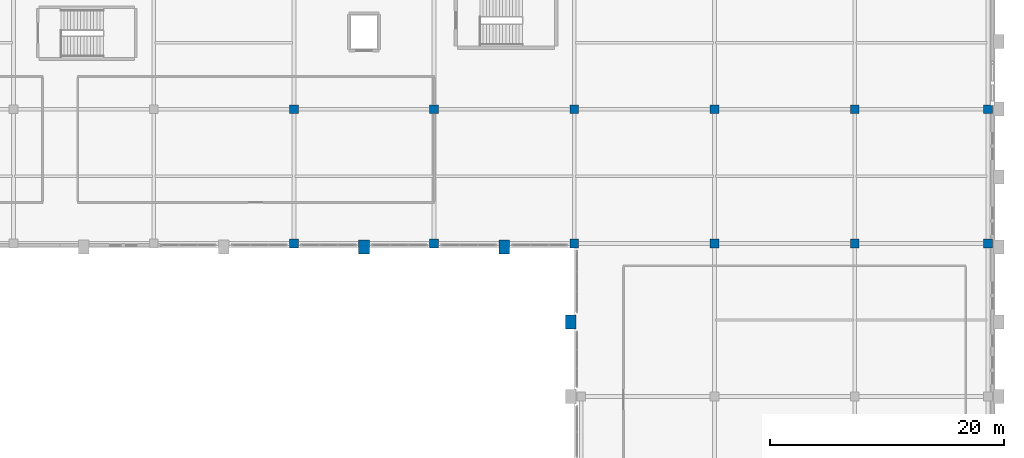
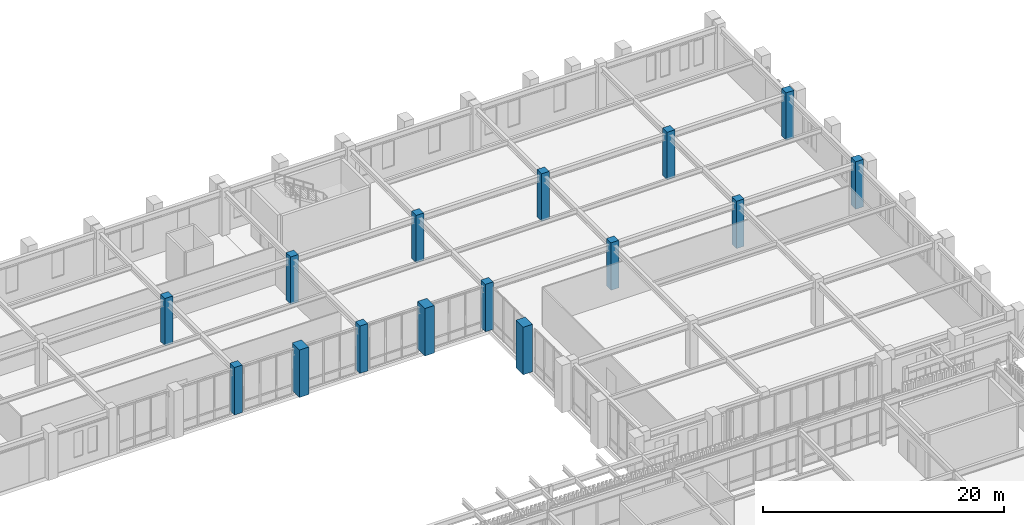
# One storey, part 11 of 126: 15 columns.
"""IFC4 building model written with IfcOpenShell, lengths in metres."""

from ifc_helpers import new_model, si_unit, derived_unit, direction, frame, origin, origin_2d, place, context, subcontext, project, spatial, rectangle, extrude, material, material_profile, profile_set, type_object, element, save


model = new_model("IFC4")

# Units and contexts
model_context = context("Model", 3, precision=1e-05, world=origin(), true_north=direction((0.0, 1.0)))
body_context = subcontext(model_context, "Body", "Model", "MODEL_VIEW")
ifc_project = project(units=[si_unit("LENGTHUNIT", "METRE"), si_unit("AREAUNIT", "SQUARE_METRE"), si_unit("VOLUMEUNIT", "CUBIC_METRE"), si_unit("PLANEANGLEUNIT", "RADIAN"), si_unit("MASSUNIT", "GRAM", prefix="KILO"), derived_unit("THERMALTRANSMITTANCEUNIT", [(si_unit("MASSUNIT", "GRAM", prefix="KILO"), 1), (si_unit("TIMEUNIT", "SECOND"), -3), (si_unit("THERMODYNAMICTEMPERATUREUNIT", "KELVIN"), -1)])], contexts=[model_context])

# Site, building, storey
site_placement = place(None, origin())
site = spatial("IfcSite", under=ifc_project, at=site_placement, CompositionType="ELEMENT")
building_placement = place(site_placement, origin())
building = spatial("IfcBuilding", under=site, at=building_placement, Name="Valcora Ridge Arena", CompositionType="ELEMENT")
storey_placement = place(building_placement, frame((0.0, 0.0, 11.39990234375)))
storey = spatial("IfcBuildingStorey", under=building, at=storey_placement, Name="L02", CompositionType="ELEMENT", Elevation=11.39990234375)

# Columns
ifc_material_1 = material(Name="Bush-hammered Andean travertine architectural concrete C45/55", Category="masonry")
ifc_material_profile_1 = material_profile(ifc_material_1, rectangle(XDim=0.89990234375, YDim=1.199951171875, at=origin_2d()), Name="RC 900x1200")
ifc_profile_set_1 = profile_set([ifc_material_profile_1], Name="Bush-hammered Andean travertine architectural concrete C45/55")
column_type_1 = type_object("IfcColumnType", Name="TY-COLUMN-C-BUTT-1200", PredefinedType="PILASTER", material=ifc_profile_set_1)
for number, where, z_axis, x_axis, name in (
    (1, (155.679931640625, 102.0, 0.0), (0.0, 0.0, 1.0), (1.0, 0.0, 0.0), "C-BUTT-1200 COL-C-BUTT-1200-0262"),
    (2, (138.0, 108.419921875, 0.0), (0.0, 0.0, 1.0), (1.0, 0.0, 0.0), "C-BUTT-1200 COL-C-BUTT-1200-0366"),
    (3, (150.0, 108.419921875, 0.0), (0.0, 0.0, 1.0), (1.0, 0.0, 0.0), "C-BUTT-1200 COL-C-BUTT-1200-0370"),
):
    element("IfcColumn", number, at=place(storey_placement, frame(where, z_axis=z_axis, x_axis=x_axis)), inside=storey, type_object=column_type_1, Name=name, PredefinedType="PILASTER", context=body_context, shape_type="SweptSolid", body=[
        extrude(rectangle(XDim=0.89990234375, YDim=1.199951171875, at=origin_2d()), origin(), (0.0, 0.0, 1.0), 4.800048828125),
    ])
ifc_material_2 = material(Name="Concrete C40/50", Category="concrete")
ifc_material_profile_2 = material_profile(ifc_material_2, rectangle(XDim=0.75, YDim=0.75, at=origin_2d()), Name="RC 750x750")
ifc_profile_set_2 = profile_set([ifc_material_profile_2], Name="Concrete C40/50")
column_type_2 = type_object("IfcColumnType", Name="TY-COLUMN-C-RC750", PredefinedType="COLUMN", material=ifc_profile_set_2)
for number, where, z_axis, x_axis, name in (
    (4, (132.0, 108.699951171875, 0.0), (0.0, 0.0, 1.0), (1.0, 0.0, 0.0), "C-RC750 COL-C-RC750-0055"),
    (5, (132.0, 120.199951171875, 0.0), (0.0, 0.0, 1.0), (1.0, 0.0, 0.0), "C-RC750 COL-C-RC750-0057"),
    (6, (144.0, 108.699951171875, 0.0), (0.0, 0.0, 1.0), (1.0, 0.0, 0.0), "C-RC750 COL-C-RC750-0061"),
    (7, (144.0, 120.199951171875, 0.0), (0.0, 0.0, 1.0), (1.0, 0.0, 0.0), "C-RC750 COL-C-RC750-0063"),
    (8, (156.0, 108.699951171875, 0.0), (0.0, 0.0, 1.0), (1.0, 0.0, 0.0), "C-RC750 COL-C-RC750-0067"),
    (9, (156.0, 120.199951171875, 0.0), (0.0, 0.0, 1.0), (1.0, 0.0, 0.0), "C-RC750 COL-C-RC750-0069"),
    (10, (168.0, 108.699951171875, 0.0), (0.0, 0.0, 1.0), (1.0, 0.0, 0.0), "C-RC750 COL-C-RC750-0073"),
    (11, (168.0, 120.199951171875, 0.0), (0.0, 0.0, 1.0), (1.0, 0.0, 0.0), "C-RC750 COL-C-RC750-0075"),
    (12, (180.0, 108.699951171875, 0.0), (0.0, 0.0, 1.0), (1.0, 0.0, 0.0), "C-RC750 COL-C-RC750-0079"),
    (13, (180.0, 120.199951171875, 0.0), (0.0, 0.0, 1.0), (1.0, 0.0, 0.0), "C-RC750 COL-C-RC750-0081"),
    (14, (191.39990234375, 108.699951171875, 0.0), (0.0, 0.0, 1.0), (1.0, 0.0, 0.0), "C-RC750 COL-C-RC750-0085"),
    (15, (191.39990234375, 120.199951171875, 0.0), (0.0, 0.0, 1.0), (1.0, 0.0, 0.0), "C-RC750 COL-C-RC750-0087"),
):
    element("IfcColumn", number, at=place(storey_placement, frame(where, z_axis=z_axis, x_axis=x_axis)), inside=storey, type_object=column_type_2, Name=name, PredefinedType="COLUMN", context=body_context, shape_type="SweptSolid", body=[
        extrude(rectangle(XDim=0.75, YDim=0.75, at=origin_2d()), origin(), (0.0, 0.0, 1.0), 4.800048828125),
    ])

save(model, "model.ifc")
